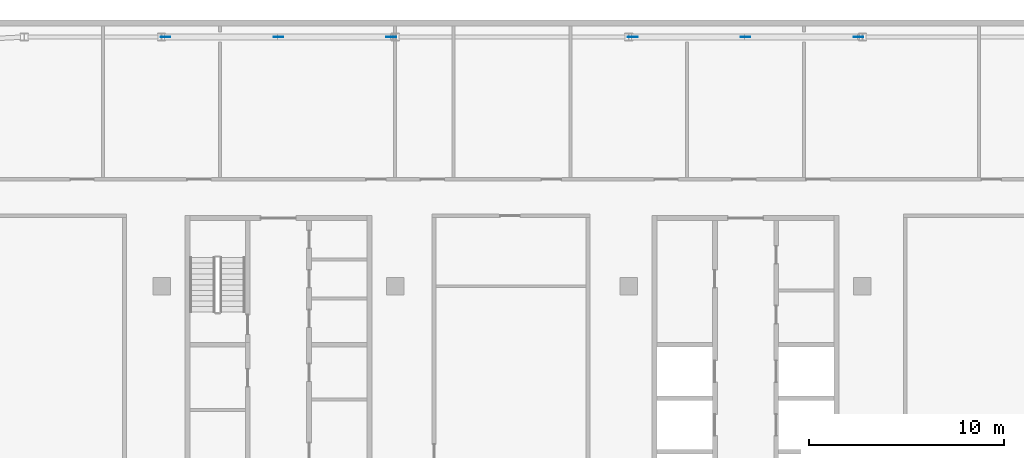
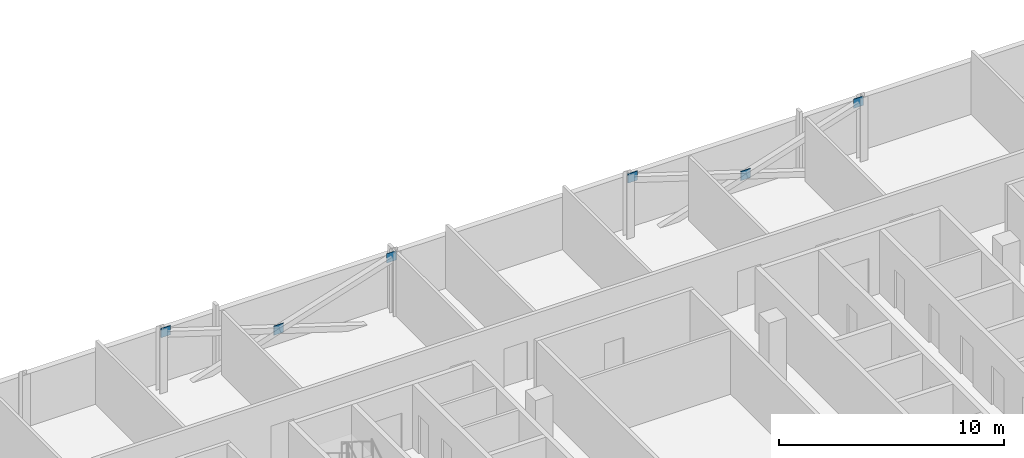
# One storey, part 23 of 29: 6 discrete accessories.
"""IFC4 building model written with IfcOpenShell, lengths in metres."""

import ifcopenshell
import ifcopenshell.guid

model = None  # the IFC model being written
_history = None  # IfcOwnerHistory: only IFC2X3 demands one
_inside = {}  # id of a spatial element -> (the spatial element, [elements in it])
_under = {}  # id of a project, library or spatial element -> (it, [spatial elements below it])
_declared = {}  # id of a project -> (the project, [libraries it declares])
_typed = {}  # id of a type object -> (the type object, [elements of that type])
_made_of = {}  # id of a material, layer set ... -> (it, [elements and type objects made of it])


def new_model(schema):
    """Start an empty IFC model of exactly this schema.

    Asked for "IFC4X3", IfcOpenShell would pick the latest addendum, in which some entities
    have other attributes; the version numbers below select the first issue.
    IFC2X3 requires an IfcOwnerHistory on every rooted entity: one is made here for all.
    """
    global model, _history
    if schema == "IFC4X3":
        model = ifcopenshell.file(schema_version=(4, 3, 0, 0))
    else:
        model = ifcopenshell.file(schema=schema)
    _inside.clear()
    _under.clear()
    _declared.clear()
    _typed.clear()
    _made_of.clear()
    _history = None
    if model.schema == "IFC2X3":
        org = make("IfcOrganization", Name="unknown")
        user = make(
            "IfcPersonAndOrganization",
            ThePerson=make("IfcPerson", FamilyName="unknown"),
            TheOrganization=org,
        )
        app = make(
            "IfcApplication",
            ApplicationDeveloper=org,
            Version="unknown",
            ApplicationFullName="unknown",
            ApplicationIdentifier="unknown",
        )
        _history = make(
            "IfcOwnerHistory",
            OwningUser=user,
            OwningApplication=app,
            ChangeAction="ADDED",
            CreationDate=0,
        )
    return model


def make(cls, **values):
    """One entity of the class cls with the attributes given. An attribute that is None is left unset."""
    return model.create_entity(
        cls, **{name: value for name, value in values.items() if value is not None}
    )


def rooted(cls, **values):
    """An entity with a GlobalId (a new one), such as an element, a storey or a relation."""
    return make(cls, GlobalId=ifcopenshell.guid.new(), OwnerHistory=_history, **values)


def si_unit(unit_type, name, prefix=None):
    """IfcSIUnit, for example si_unit("LENGTHUNIT", "METRE", prefix="MILLI")."""
    return make("IfcSIUnit", UnitType=unit_type, Prefix=prefix, Name=name)


def assignment(units):
    """IfcUnitAssignment: the units of a project."""
    return None if units is None else make("IfcUnitAssignment", Units=units)


def point(xyz):
    """IfcCartesianPoint."""
    return None if xyz is None else make("IfcCartesianPoint", Coordinates=xyz)


def direction(xyz):
    """IfcDirection."""
    return None if xyz is None else make("IfcDirection", DirectionRatios=xyz)


def frame(location, z_axis=None, x_axis=None):
    """IfcAxis2Placement3D, a coordinate frame: its origin and axes. An axis left out is left unset."""
    return make(
        "IfcAxis2Placement3D",
        Location=point(location),
        Axis=direction(z_axis),
        RefDirection=direction(x_axis),
    )


def frame_2d(location, x_axis=None):
    """IfcAxis2Placement2D, a coordinate frame in the plane: its origin and x axis."""
    return make(
        "IfcAxis2Placement2D", Location=point(location), RefDirection=direction(x_axis)
    )


def origin():
    """The frame at (0, 0, 0) with its axes left unset."""
    return frame((0.0, 0.0, 0.0))


def origin_2d():
    """The frame at (0, 0) in the plane with its x axis left unset."""
    return frame_2d((0.0, 0.0))


def place(relative_to, where):
    """IfcLocalPlacement: puts the frame where relative to a parent placement (None: the world)."""
    return make(
        "IfcLocalPlacement", PlacementRelTo=relative_to, RelativePlacement=where
    )


def context(
    kind, dimensions, precision=None, world=None, true_north=None, identifier=None
):
    """IfcGeometricRepresentationContext, for example the 3D "Model" context."""
    return make(
        "IfcGeometricRepresentationContext",
        ContextIdentifier=identifier,
        ContextType=kind,
        CoordinateSpaceDimension=dimensions,
        Precision=precision,
        WorldCoordinateSystem=world,
        TrueNorth=true_north,
    )


def subcontext(parent, identifier, kind, view, scale=None):
    """IfcGeometricRepresentationSubContext, for example "Body" below "Model"."""
    return make(
        "IfcGeometricRepresentationSubContext",
        ContextIdentifier=identifier,
        ContextType=kind,
        ParentContext=parent,
        TargetScale=scale,
        TargetView=view,
    )


def project(units=None, contexts=None):
    """IfcProject with its units and contexts."""
    return rooted(
        "IfcProject",
        Name="project",
        RepresentationContexts=contexts,
        UnitsInContext=assignment(units),
    )


def spatial(cls, under=None, at=None, **own):
    """A site, building, storey or space (cls), placed at a placement, below another one or the project."""
    s = rooted(cls, ObjectPlacement=at, **own)
    if under is not None:
        _under.setdefault(under.id(), (under, []))[1].append(s)
    return s


def profile(cls, at=None, kind="AREA", **sizes):
    """A parametric profile (cls). Its sizes go by their IFC names, for example OverallWidth=200.0."""
    return make(cls, ProfileType=kind, Position=at, **sizes)


def rectangle(**sizes):
    """IfcRectangleProfileDef."""
    return profile("IfcRectangleProfileDef", **sizes)


def extrude(swept, where, along, depth):
    """IfcExtrudedAreaSolid: the profile swept, set in the frame where, extruded along a direction by depth."""
    return make(
        "IfcExtrudedAreaSolid",
        SweptArea=swept,
        Position=where,
        ExtrudedDirection=direction(along),
        Depth=depth,
    )


def shape(context_of_items, identifier, shape_type, items):
    """IfcShapeRepresentation: the items that make up one representation, for example the "Body"."""
    return make(
        "IfcShapeRepresentation",
        ContextOfItems=context_of_items,
        RepresentationIdentifier=identifier,
        RepresentationType=shape_type,
        Items=items,
    )


def material(Name=None, Category=None):
    """IfcMaterial."""
    return make("IfcMaterial", Name=Name, Category=Category)


def layer(
    of_material, thickness, ventilated=None, Name=None, Category=None, Priority=None
):
    """IfcMaterialLayer: one layer of a wall or slab, of a material (None: an air gap)."""
    return make(
        "IfcMaterialLayer",
        Material=of_material,
        LayerThickness=thickness,
        IsVentilated=ventilated,
        Name=Name,
        Category=Category,
        Priority=Priority,
    )


def layer_set(layers, Name=None):
    """IfcMaterialLayerSet."""
    return make("IfcMaterialLayerSet", MaterialLayers=layers, LayerSetName=Name)


def made_of(thing, what):
    """Note that an element or type object is made of a material, layer set ...; save() writes the relation."""
    if what is not None:
        _made_of.setdefault(what.id(), (what, []))[1].append(thing)
    return thing


def type_object(cls, material=None, **own):
    """A type object (cls), such as IfcWallType, which elements share."""
    return made_of(rooted(cls, **own), material)


def element(
    cls,
    number,
    at=None,
    inside=None,
    cuts=None,
    type_object=None,
    material=None,
    context=None,
    identifier="Body",
    shape_type=None,
    held_by="IfcProductDefinitionShape",
    body=None,
    shapes=None,
    **own,
):
    """One element of the class cls, such as IfcWall. Its Tag is "e" and its number.

    at: its placement. inside: the storey or other place that contains it. cuts: it is an
    opening in that element (IfcRelVoidsElement). A single representation is given by context,
    identifier, shape_type and body (its items); several are given by shapes. held_by: the class
    of the entity that holds the representations. save() writes the other relations.
    """
    e = rooted(cls, Tag="e%d" % number, ObjectPlacement=at, **own)
    if body is not None:
        shapes = [shape(context, identifier, shape_type, body)]
    if shapes is not None:
        e.Representation = make(held_by, Representations=shapes)
    if inside is not None:
        _inside.setdefault(inside.id(), (inside, []))[1].append(e)
    if cuts is not None:
        rooted(
            "IfcRelVoidsElement", RelatingBuildingElement=cuts, RelatedOpeningElement=e
        )
    if type_object is not None:
        _typed.setdefault(type_object.id(), (type_object, []))[1].append(e)
    return made_of(e, material)


def aggregate(whole, parts):
    """IfcRelAggregates: a whole, such as a stair, and the parts it consists of."""
    return rooted("IfcRelAggregates", RelatingObject=whole, RelatedObjects=parts)


def save(model, path):
    """Write the relations noted so far, then the file.

    IfcRelAggregates (storeys below a building ...), IfcRelContainedInSpatialStructure (elements
    in a storey), IfcRelDefinesByType, IfcRelAssociatesMaterial and IfcRelDeclares: one each for
    every whole, place, type object, material and project.
    """
    for whole, parts in _under.values():
        aggregate(whole, parts)
    for where, things in _inside.values():
        rooted(
            "IfcRelContainedInSpatialStructure",
            RelatedElements=things,
            RelatingStructure=where,
        )
    for kind, things in _typed.values():
        rooted("IfcRelDefinesByType", RelatedObjects=things, RelatingType=kind)
    for what, things in _made_of.values():
        rooted("IfcRelAssociatesMaterial", RelatedObjects=things, RelatingMaterial=what)
    for by, libraries in _declared.values():
        rooted("IfcRelDeclares", RelatingContext=by, RelatedDefinitions=libraries)
    model.write(path)


model = new_model("IFC4")

# Units and contexts
model_context = context("Model", 3, precision=1e-05, world=origin(), true_north=direction((0.0, 1.0)))
body_context = subcontext(model_context, "Body", "Model", "MODEL_VIEW")
ifc_project = project(units=[si_unit("LENGTHUNIT", "METRE"), si_unit("AREAUNIT", "SQUARE_METRE"), si_unit("VOLUMEUNIT", "CUBIC_METRE"), si_unit("PLANEANGLEUNIT", "RADIAN"), si_unit("MASSUNIT", "GRAM", prefix="KILO")], contexts=[model_context])

# Site, building, storey
site_placement = place(None, origin())
site = spatial("IfcSite", under=ifc_project, at=site_placement, CompositionType="ELEMENT")
building_placement = place(site_placement, origin())
building = spatial("IfcBuilding", under=site, at=building_placement, Name="Mahtab Terrace Research Tower", CompositionType="ELEMENT")
storey_placement = place(building_placement, frame((0.0, 0.0, 274.699951171875)))
storey = spatial("IfcBuildingStorey", under=building, at=storey_placement, Name="L67", CompositionType="ELEMENT", Elevation=274.699951171875)

# Discrete accessories
ifc_material = material(Name="Steel ASTM A992 Gr 50", Category="steel")
ifc_layer = layer(ifc_material, 0.030029296875)
ifc_layer_set = layer_set([ifc_layer], Name="Gusset plate 500x500x30")
discrete_accessory_type = type_object("IfcDiscreteAccessoryType", Name="Gusset plate 500x500x30", PredefinedType="USERDEFINED", material=ifc_layer_set)
for number, where, z_axis, x_axis, name in (
    (1, (-29.802978515625, 24.306884765625, 2.906494140625), (0.0, 0.0, 1.0), (1.0, 0.0, 0.0), "Gusset plate"),
    (2, (-24.0, 24.306884765625, 1.006591796875), (0.0, 0.0, 1.0), (1.0, 0.0, 0.0), "Gusset plate"),
    (3, (-18.197021484375, 24.306884765625, 2.906494140625), (0.0, 0.0, 1.0), (1.0, 0.0, 0.0), "Gusset plate"),
    (4, (-5.802978515625, 24.306884765625, 2.906494140625), (0.0, 0.0, 1.0), (1.0, 0.0, 0.0), "Gusset plate"),
    (5, (0.0, 24.306884765625, 1.006591796875), (0.0, 0.0, 1.0), (1.0, 0.0, 0.0), "Gusset plate"),
    (6, (5.802978515625, 24.306884765625, 2.906494140625), (0.0, 0.0, 1.0), (1.0, 0.0, 0.0), "Gusset plate"),
):
    element("IfcDiscreteAccessory", number, at=place(storey_placement, frame(where, z_axis=z_axis, x_axis=x_axis)), inside=storey, type_object=discrete_accessory_type, Name=name, ObjectType="GUSSET PLATE", PredefinedType="USERDEFINED", context=body_context, shape_type="SweptSolid", body=[
        extrude(rectangle(XDim=0.5, YDim=0.030029296875, at=origin_2d()), origin(), (0.0, 0.0, 1.0), 0.5),
    ])

save(model, "model.ifc")
